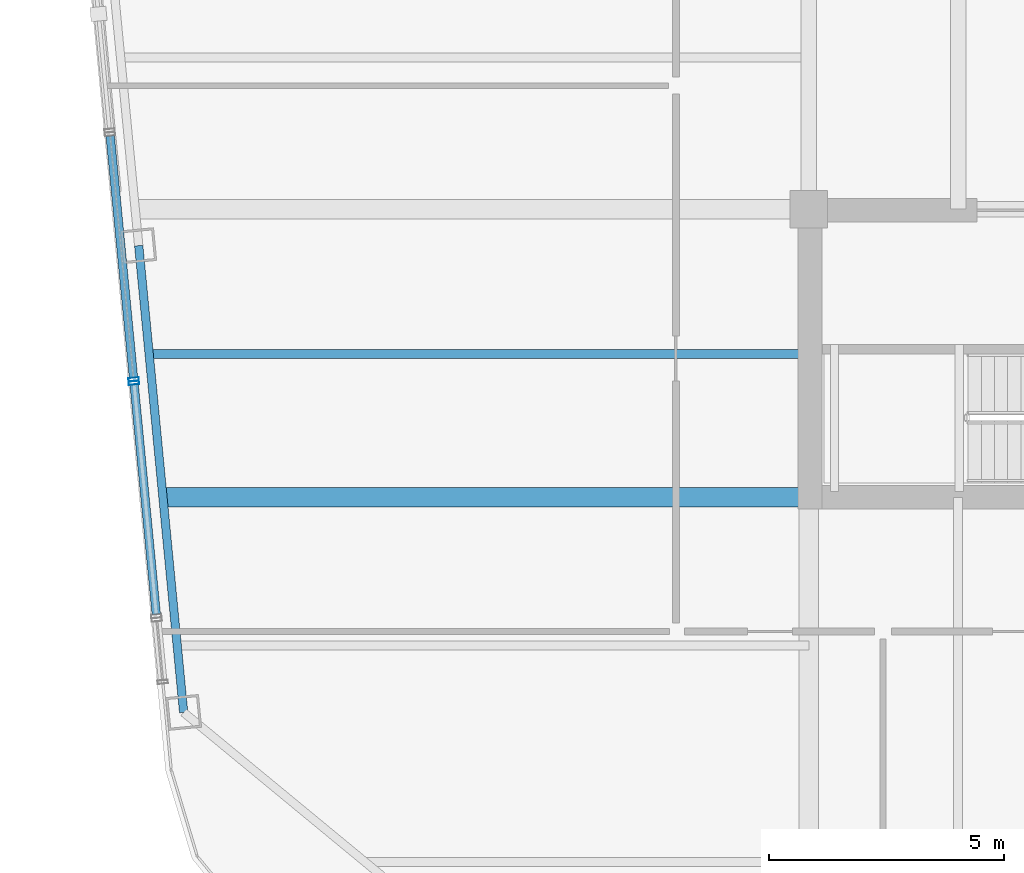
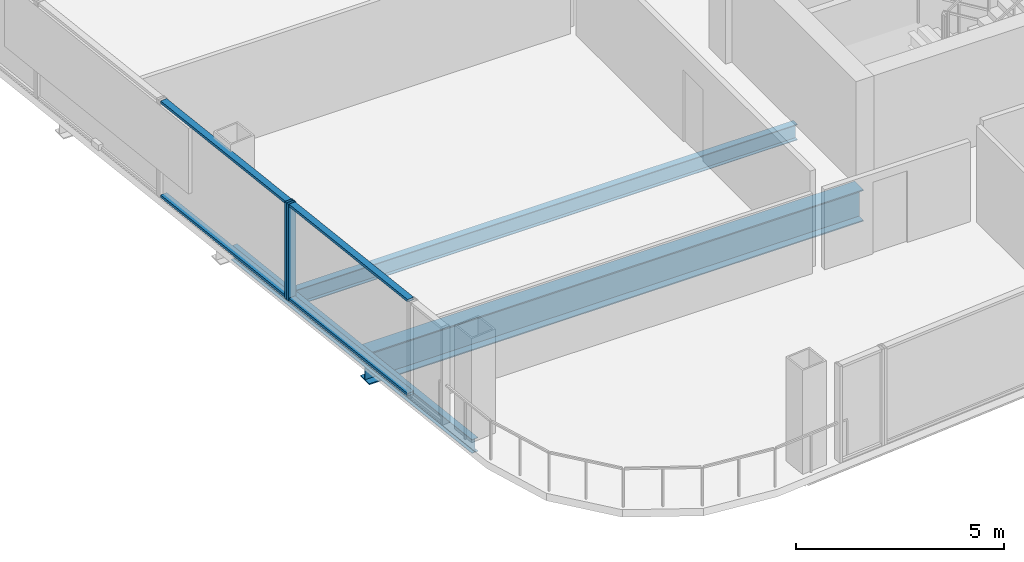
# One storey, part 3 of 22: 6 members, 3 beams, 2 elements without a shape of their own.
"""IFC4 building model written with IfcOpenShell, lengths in metres."""

from ifc_helpers import new_model, si_unit, direction, frame, origin, origin_2d, place, context, subcontext, project, spatial, hollow_rectangle, i_section, extrude, material, layer, layer_set, material_profile, profile_set, type_object, element, aggregate, save


model = new_model("IFC4")

# Units and contexts
model_context = context("Model", 3, precision=1e-05, world=origin(), true_north=direction((0.0, 1.0)))
body_context = subcontext(model_context, "Body", "Model", "MODEL_VIEW")
ifc_project = project(units=[si_unit("LENGTHUNIT", "METRE"), si_unit("AREAUNIT", "SQUARE_METRE"), si_unit("VOLUMEUNIT", "CUBIC_METRE"), si_unit("PLANEANGLEUNIT", "RADIAN"), si_unit("MASSUNIT", "GRAM", prefix="KILO")], contexts=[model_context])

# Site, building, storey
site_placement = place(None, origin())
site = spatial("IfcSite", under=ifc_project, at=site_placement, CompositionType="ELEMENT")
building_placement = place(site_placement, origin())
building = spatial("IfcBuilding", under=site, at=building_placement, Name="Qhalaya Broadcast Tower", CompositionType="ELEMENT")
storey_placement = place(building_placement, frame((0.0, 0.0, 165.300048828125)))
storey = spatial("IfcBuildingStorey", under=building, at=storey_placement, Name="L48", CompositionType="ELEMENT", Elevation=165.300048828125)

# Beams
ifc_material_1 = material(Name="Structural Steel ASTM A992 Grade 50", Category="steel")
ifc_material_profile_1 = material_profile(ifc_material_1, i_section(OverallWidth=0.19189453125, OverallDepth=0.462890625, WebThickness=0.010498046875, FlangeThickness=0.017578125, at=origin_2d()), Name="W18X60")
ifc_profile_set_1 = profile_set([ifc_material_profile_1], Name="Structural Steel ASTM A992 Grade 50")
beam_type_1 = type_object("IfcBeamType", Name="Composite Floor Joist J03", PredefinedType="JOIST", material=ifc_profile_set_1)
beam_1_placement = place(storey_placement, frame((-23.375732421875, -5.699951171875, -0.45166015625), z_axis=(1.0, 0.0, 0.0), x_axis=(0.0, 1.0, 0.0)))
element("IfcBeam", 1, at=beam_1_placement, inside=storey, type_object=beam_type_1, Name="L48 J03 L48-JWE3W-1", PredefinedType="JOIST", context=body_context, shape_type="SweptSolid", body=[
    extrude(i_section(OverallWidth=0.19189453125, OverallDepth=0.462890625, WebThickness=0.010498046875, FlangeThickness=0.017578125, at=origin_2d()), origin(), (0.0, 0.0, 1.0), 14.000732421875),
])
ifc_material_profile_2 = material_profile(ifc_material_1, i_section(OverallWidth=0.4189453125, OverallDepth=0.927001953125, WebThickness=0.019287109375, FlangeThickness=0.031982421875, at=origin_2d()), Name="W36X231")
ifc_profile_set_2 = profile_set([ifc_material_profile_2], Name="Structural Steel ASTM A992 Grade 50")
beam_type_2 = type_object("IfcBeamType", Name="Mid Block Primary Girder PG3", PredefinedType="USERDEFINED", material=ifc_profile_set_2)
beam_2_placement = place(storey_placement, frame((-23.08203125, -8.75, -0.68359375), z_axis=(1.0, 0.0, 0.0), x_axis=(0.0, 1.0, 0.0)))
element("IfcBeam", 2, at=beam_2_placement, inside=storey, type_object=beam_type_2, Name="L48 PG3 L48-PGYW1-1", ObjectType="GIRDER", PredefinedType="USERDEFINED", context=body_context, shape_type="SweptSolid", body=[
    extrude(i_section(OverallWidth=0.4189453125, OverallDepth=0.927001953125, WebThickness=0.019287109375, FlangeThickness=0.031982421875, at=origin_2d()), origin(), (0.0, 0.0, 1.0), 13.70703125),
])

# Curtain wall, member
ifc_material_2 = material(Name="Solar-Control Low-E Triple Glazing", Category="glass")
ifc_layer_1 = layer(ifc_material_2, 0.219970703125, Name="Solar-Control Low-E Triple Glazing")
ifc_layer_set_1 = layer_set([ifc_layer_1], Name="Solar-Control Low-E Triple Glazing")
curtain_wall_type_1 = type_object("IfcCurtainWallType", Name="Even-Block 4-Storey Double-Module Curtain Wall CW-03", PredefinedType="NOTDEFINED", material=ifc_layer_set_1)
curtain_wall_1_placement = place(storey_placement, origin())
curtain_wall_1 = element("IfcCurtainWall", 3, at=curtain_wall_1_placement, inside=storey, type_object=curtain_wall_type_1, Name="L48 Unitised Curtain Wall L48-CW-W5", PredefinedType="NOTDEFINED")
ifc_material_3 = material(Name="Anodised Aluminium 6063-T6", Category="aluminium")
ifc_material_profile_3 = material_profile(ifc_material_3, hollow_rectangle(XDim=0.074951171875, YDim=0.219970703125, WallThickness=0.00390625, at=origin_2d()), Name="ALU-MUL 75x220x4")
ifc_profile_set_3 = profile_set([ifc_material_profile_3], Name="Anodised Aluminium 6063-T6")
member_type_1 = type_object("IfcMemberType", Name="Unitised Curtain-Wall Mullion M01", PredefinedType="MULLION", material=ifc_profile_set_3)
member_1_placement = place(storey_placement, frame((-23.7255859375, -6.2412109375, 0.0), z_axis=(0.0, 0.0, 1.0), x_axis=(0.095837976406, -0.995396947091, 0.0)))
member_1 = element("IfcMember", 4, at=member_1_placement, type_object=member_type_1, Name="CW-03 mullion 2", PredefinedType="MULLION", context=body_context, shape_type="SweptSolid", body=[
    extrude(hollow_rectangle(XDim=0.074951171875, YDim=0.219970703125, WallThickness=0.00390625, at=origin_2d()), origin(), (0.0, 0.0, 1.0), 2.829833984375),
])

ifc_material_4 = material(Name="Fired Architectural Terracotta", Category="masonry")
ifc_layer_2 = layer(ifc_material_4, 0.219970703125, Name="Fired Architectural Terracotta")
ifc_layer_set_2 = layer_set([ifc_layer_2], Name="Fired Architectural Terracotta")
curtain_wall_type_2 = type_object("IfcCurtainWallType", Name="Block-Cap Unitised Terracotta Spandrel Wall CW-07", PredefinedType="NOTDEFINED", material=ifc_layer_set_2)
curtain_wall_2_placement = place(storey_placement, origin())
curtain_wall_2 = element("IfcCurtainWall", 5, at=curtain_wall_2_placement, inside=storey, type_object=curtain_wall_type_2, Name="L48 Unitised Curtain Wall L48-CW-W6", PredefinedType="NOTDEFINED")
member_2_placement = place(storey_placement, frame((-23.71826171875, -6.31591796875, 0.0), z_axis=(0.0, 0.0, 1.0), x_axis=(0.095846949325, -0.995396083127, 0.0)))
member_2 = element("IfcMember", 6, at=member_2_placement, type_object=member_type_1, Name="CW-07 mullion 1", PredefinedType="MULLION", context=body_context, shape_type="SweptSolid", body=[
    extrude(hollow_rectangle(XDim=0.074951171875, YDim=0.219970703125, WallThickness=0.00390625, at=origin_2d()), origin(), (0.0, 0.0, 1.0), 2.829833984375),
])

# Member
ifc_material_profile_4 = material_profile(ifc_material_3, hollow_rectangle(XDim=0.074951171875, YDim=0.179931640625, WallThickness=0.00390625, at=origin_2d()), Name="ALU-TRN 75x180x4")
ifc_profile_set_4 = profile_set([ifc_material_profile_4], Name="Anodised Aluminium 6063-T6")
member_type_2 = type_object("IfcMemberType", Name="Unitised Curtain-Wall Transom T01", PredefinedType="USERDEFINED", material=ifc_profile_set_4)
member_3_placement = place(storey_placement, frame((-24.2236328125, -1.066650390625, 0.037353515625), z_axis=(0.09584040213, -0.995396713537, 0.0), x_axis=(0.0, 0.0, 1.0)))
member_3 = element("IfcMember", 7, at=member_3_placement, type_object=member_type_2, Name="CW-03 transom 1.1", ObjectType="TRANSOM", PredefinedType="USERDEFINED", context=body_context, shape_type="SweptSolid", body=[
    extrude(hollow_rectangle(XDim=0.074951171875, YDim=0.179931640625, WallThickness=0.00390625, at=origin_2d()), origin(), (0.0, 0.0, 1.0), 5.160888671875),
])

member_4_placement = place(storey_placement, frame((-24.2236328125, -1.066650390625, 2.79248046875), z_axis=(0.09584040213, -0.995396713537, 0.0), x_axis=(0.0, 0.0, 1.0)))
member_4 = element("IfcMember", 8, at=member_4_placement, type_object=member_type_2, Name="CW-03 transom 1.2", ObjectType="TRANSOM", PredefinedType="USERDEFINED", context=body_context, shape_type="SweptSolid", body=[
    extrude(hollow_rectangle(XDim=0.074951171875, YDim=0.179931640625, WallThickness=0.00390625, at=origin_2d()), origin(), (0.0, 0.0, 1.0), 5.160888671875),
])

aggregate(curtain_wall_1, [member_1, member_3, member_4])

member_5_placement = place(storey_placement, frame((-23.714599609375, -6.353271484375, 0.037353515625), z_axis=(0.0958470571, -0.99539607275, 0.0), x_axis=(0.0, 0.0, 1.0)))
member_5 = element("IfcMember", 9, at=member_5_placement, type_object=member_type_2, Name="CW-07 transom 1.1", ObjectType="TRANSOM", PredefinedType="USERDEFINED", context=body_context, shape_type="SweptSolid", body=[
    extrude(hollow_rectangle(XDim=0.074951171875, YDim=0.179931640625, WallThickness=0.00390625, at=origin_2d()), origin(), (0.0, 0.0, 1.0), 4.906005859375),
])

member_6_placement = place(storey_placement, frame((-23.714599609375, -6.353271484375, 2.79248046875), z_axis=(0.0958470571, -0.99539607275, 0.0), x_axis=(0.0, 0.0, 1.0)))
member_6 = element("IfcMember", 10, at=member_6_placement, type_object=member_type_2, Name="CW-07 transom 1.2", ObjectType="TRANSOM", PredefinedType="USERDEFINED", context=body_context, shape_type="SweptSolid", body=[
    extrude(hollow_rectangle(XDim=0.074951171875, YDim=0.179931640625, WallThickness=0.00390625, at=origin_2d()), origin(), (0.0, 0.0, 1.0), 4.906005859375),
])

aggregate(curtain_wall_2, [member_2, member_5, member_6])

# Beam
ifc_material_profile_5 = material_profile(ifc_material_1, i_section(OverallWidth=0.177978515625, OverallDepth=0.406005859375, WebThickness=0.0078125, FlangeThickness=0.0126953125, at=origin_2d()), Name="W16X40")
ifc_profile_set_5 = profile_set([ifc_material_profile_5], Name="Structural Steel ASTM A992 Grade 50")
beam_type_3 = type_object("IfcBeamType", Name="Upper Perimeter Spandrel Beam SP2", PredefinedType="SPANDREL", material=ifc_profile_set_5)
beam_3_placement = place(storey_placement, frame((-23.6171875, -3.399658203125, -0.423095703125), z_axis=(0.09582862993, -0.995397846936, 0.0), x_axis=(0.995397846936, 0.09582862993, 0.0)))
element("IfcBeam", 11, at=beam_3_placement, inside=storey, type_object=beam_type_3, Name="L48 SP2 L48-SPR-15", PredefinedType="SPANDREL", context=body_context, shape_type="SweptSolid", body=[
    extrude(i_section(OverallWidth=0.177978515625, OverallDepth=0.406005859375, WebThickness=0.0078125, FlangeThickness=0.0126953125, at=origin_2d()), origin(), (0.0, 0.0, 1.0), 9.966552734375),
])

save(model, "model.ifc")
